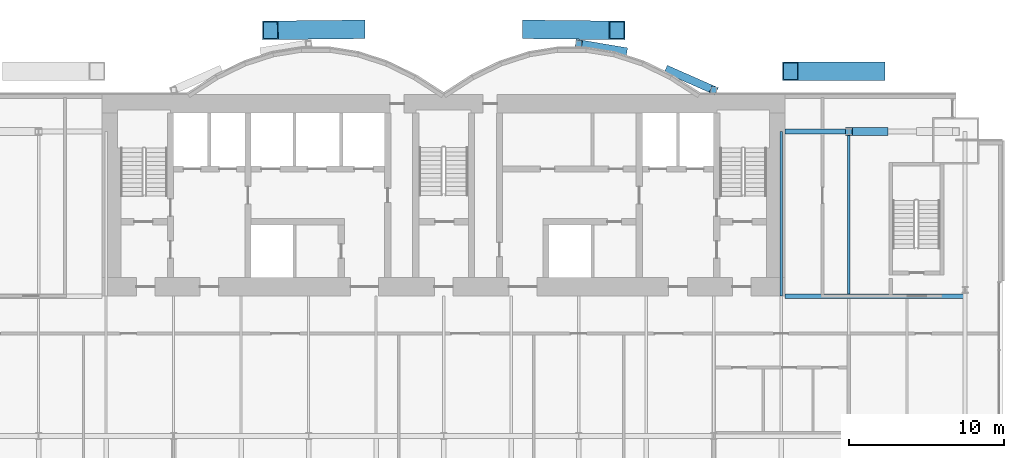
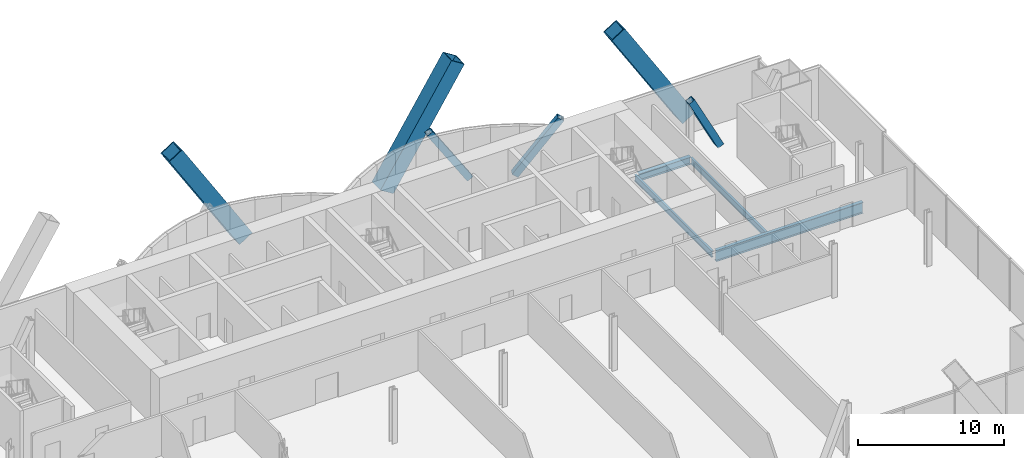
# One storey, part 12 of 23: 6 members, 4 beams.
"""IFC4 building model written with IfcOpenShell, lengths in metres."""

import ifcopenshell
import ifcopenshell.guid

model = None  # the IFC model being written
_history = None  # IfcOwnerHistory: only IFC2X3 demands one
_inside = {}  # id of a spatial element -> (the spatial element, [elements in it])
_under = {}  # id of a project, library or spatial element -> (it, [spatial elements below it])
_declared = {}  # id of a project -> (the project, [libraries it declares])
_typed = {}  # id of a type object -> (the type object, [elements of that type])
_made_of = {}  # id of a material, layer set ... -> (it, [elements and type objects made of it])


def new_model(schema):
    """Start an empty IFC model of exactly this schema.

    Asked for "IFC4X3", IfcOpenShell would pick the latest addendum, in which some entities
    have other attributes; the version numbers below select the first issue.
    IFC2X3 requires an IfcOwnerHistory on every rooted entity: one is made here for all.
    """
    global model, _history
    if schema == "IFC4X3":
        model = ifcopenshell.file(schema_version=(4, 3, 0, 0))
    else:
        model = ifcopenshell.file(schema=schema)
    _inside.clear()
    _under.clear()
    _declared.clear()
    _typed.clear()
    _made_of.clear()
    _history = None
    if model.schema == "IFC2X3":
        org = make("IfcOrganization", Name="unknown")
        user = make(
            "IfcPersonAndOrganization",
            ThePerson=make("IfcPerson", FamilyName="unknown"),
            TheOrganization=org,
        )
        app = make(
            "IfcApplication",
            ApplicationDeveloper=org,
            Version="unknown",
            ApplicationFullName="unknown",
            ApplicationIdentifier="unknown",
        )
        _history = make(
            "IfcOwnerHistory",
            OwningUser=user,
            OwningApplication=app,
            ChangeAction="ADDED",
            CreationDate=0,
        )
    return model


def make(cls, **values):
    """One entity of the class cls with the attributes given. An attribute that is None is left unset."""
    return model.create_entity(
        cls, **{name: value for name, value in values.items() if value is not None}
    )


def rooted(cls, **values):
    """An entity with a GlobalId (a new one), such as an element, a storey or a relation."""
    return make(cls, GlobalId=ifcopenshell.guid.new(), OwnerHistory=_history, **values)


def si_unit(unit_type, name, prefix=None):
    """IfcSIUnit, for example si_unit("LENGTHUNIT", "METRE", prefix="MILLI")."""
    return make("IfcSIUnit", UnitType=unit_type, Prefix=prefix, Name=name)


def assignment(units):
    """IfcUnitAssignment: the units of a project."""
    return None if units is None else make("IfcUnitAssignment", Units=units)


def point(xyz):
    """IfcCartesianPoint."""
    return None if xyz is None else make("IfcCartesianPoint", Coordinates=xyz)


def direction(xyz):
    """IfcDirection."""
    return None if xyz is None else make("IfcDirection", DirectionRatios=xyz)


def frame(location, z_axis=None, x_axis=None):
    """IfcAxis2Placement3D, a coordinate frame: its origin and axes. An axis left out is left unset."""
    return make(
        "IfcAxis2Placement3D",
        Location=point(location),
        Axis=direction(z_axis),
        RefDirection=direction(x_axis),
    )


def frame_2d(location, x_axis=None):
    """IfcAxis2Placement2D, a coordinate frame in the plane: its origin and x axis."""
    return make(
        "IfcAxis2Placement2D", Location=point(location), RefDirection=direction(x_axis)
    )


def origin():
    """The frame at (0, 0, 0) with its axes left unset."""
    return frame((0.0, 0.0, 0.0))


def origin_2d():
    """The frame at (0, 0) in the plane with its x axis left unset."""
    return frame_2d((0.0, 0.0))


def place(relative_to, where):
    """IfcLocalPlacement: puts the frame where relative to a parent placement (None: the world)."""
    return make(
        "IfcLocalPlacement", PlacementRelTo=relative_to, RelativePlacement=where
    )


def context(
    kind, dimensions, precision=None, world=None, true_north=None, identifier=None
):
    """IfcGeometricRepresentationContext, for example the 3D "Model" context."""
    return make(
        "IfcGeometricRepresentationContext",
        ContextIdentifier=identifier,
        ContextType=kind,
        CoordinateSpaceDimension=dimensions,
        Precision=precision,
        WorldCoordinateSystem=world,
        TrueNorth=true_north,
    )


def subcontext(parent, identifier, kind, view, scale=None):
    """IfcGeometricRepresentationSubContext, for example "Body" below "Model"."""
    return make(
        "IfcGeometricRepresentationSubContext",
        ContextIdentifier=identifier,
        ContextType=kind,
        ParentContext=parent,
        TargetScale=scale,
        TargetView=view,
    )


def project(units=None, contexts=None):
    """IfcProject with its units and contexts."""
    return rooted(
        "IfcProject",
        Name="project",
        RepresentationContexts=contexts,
        UnitsInContext=assignment(units),
    )


def spatial(cls, under=None, at=None, **own):
    """A site, building, storey or space (cls), placed at a placement, below another one or the project."""
    s = rooted(cls, ObjectPlacement=at, **own)
    if under is not None:
        _under.setdefault(under.id(), (under, []))[1].append(s)
    return s


def profile(cls, at=None, kind="AREA", **sizes):
    """A parametric profile (cls). Its sizes go by their IFC names, for example OverallWidth=200.0."""
    return make(cls, ProfileType=kind, Position=at, **sizes)


def hollow_rectangle(**sizes):
    """IfcRectangleHollowProfileDef."""
    return profile("IfcRectangleHollowProfileDef", **sizes)


def i_section(**sizes):
    """IfcIShapeProfileDef."""
    return profile("IfcIShapeProfileDef", **sizes)


def extrude(swept, where, along, depth):
    """IfcExtrudedAreaSolid: the profile swept, set in the frame where, extruded along a direction by depth."""
    return make(
        "IfcExtrudedAreaSolid",
        SweptArea=swept,
        Position=where,
        ExtrudedDirection=direction(along),
        Depth=depth,
    )


def shape(context_of_items, identifier, shape_type, items):
    """IfcShapeRepresentation: the items that make up one representation, for example the "Body"."""
    return make(
        "IfcShapeRepresentation",
        ContextOfItems=context_of_items,
        RepresentationIdentifier=identifier,
        RepresentationType=shape_type,
        Items=items,
    )


def material(Name=None, Category=None):
    """IfcMaterial."""
    return make("IfcMaterial", Name=Name, Category=Category)


def material_profile(
    of_material, cross_section, Name=None, Category=None, Priority=None
):
    """IfcMaterialProfile: a cross section and its material."""
    return make(
        "IfcMaterialProfile",
        Name=Name,
        Material=of_material,
        Profile=cross_section,
        Priority=Priority,
        Category=Category,
    )


def profile_set(profiles, Name=None, composite=None):
    """IfcMaterialProfileSet."""
    return make(
        "IfcMaterialProfileSet",
        Name=Name,
        MaterialProfiles=profiles,
        CompositeProfile=composite,
    )


def made_of(thing, what):
    """Note that an element or type object is made of a material, layer set ...; save() writes the relation."""
    if what is not None:
        _made_of.setdefault(what.id(), (what, []))[1].append(thing)
    return thing


def type_object(cls, material=None, **own):
    """A type object (cls), such as IfcWallType, which elements share."""
    return made_of(rooted(cls, **own), material)


def element(
    cls,
    number,
    at=None,
    inside=None,
    cuts=None,
    type_object=None,
    material=None,
    context=None,
    identifier="Body",
    shape_type=None,
    held_by="IfcProductDefinitionShape",
    body=None,
    shapes=None,
    **own,
):
    """One element of the class cls, such as IfcWall. Its Tag is "e" and its number.

    at: its placement. inside: the storey or other place that contains it. cuts: it is an
    opening in that element (IfcRelVoidsElement). A single representation is given by context,
    identifier, shape_type and body (its items); several are given by shapes. held_by: the class
    of the entity that holds the representations. save() writes the other relations.
    """
    e = rooted(cls, Tag="e%d" % number, ObjectPlacement=at, **own)
    if body is not None:
        shapes = [shape(context, identifier, shape_type, body)]
    if shapes is not None:
        e.Representation = make(held_by, Representations=shapes)
    if inside is not None:
        _inside.setdefault(inside.id(), (inside, []))[1].append(e)
    if cuts is not None:
        rooted(
            "IfcRelVoidsElement", RelatingBuildingElement=cuts, RelatedOpeningElement=e
        )
    if type_object is not None:
        _typed.setdefault(type_object.id(), (type_object, []))[1].append(e)
    return made_of(e, material)


def aggregate(whole, parts):
    """IfcRelAggregates: a whole, such as a stair, and the parts it consists of."""
    return rooted("IfcRelAggregates", RelatingObject=whole, RelatedObjects=parts)


def save(model, path):
    """Write the relations noted so far, then the file.

    IfcRelAggregates (storeys below a building ...), IfcRelContainedInSpatialStructure (elements
    in a storey), IfcRelDefinesByType, IfcRelAssociatesMaterial and IfcRelDeclares: one each for
    every whole, place, type object, material and project.
    """
    for whole, parts in _under.values():
        aggregate(whole, parts)
    for where, things in _inside.values():
        rooted(
            "IfcRelContainedInSpatialStructure",
            RelatedElements=things,
            RelatingStructure=where,
        )
    for kind, things in _typed.values():
        rooted("IfcRelDefinesByType", RelatedObjects=things, RelatingType=kind)
    for what, things in _made_of.values():
        rooted("IfcRelAssociatesMaterial", RelatedObjects=things, RelatingMaterial=what)
    for by, libraries in _declared.values():
        rooted("IfcRelDeclares", RelatingContext=by, RelatedDefinitions=libraries)
    model.write(path)


model = new_model("IFC4")

# Units and contexts
model_context = context("Model", 3, precision=1e-05, world=origin(), true_north=direction((0.0, 1.0)))
body_context = subcontext(model_context, "Body", "Model", "MODEL_VIEW")
ifc_project = project(units=[si_unit("LENGTHUNIT", "METRE"), si_unit("AREAUNIT", "SQUARE_METRE"), si_unit("VOLUMEUNIT", "CUBIC_METRE"), si_unit("PLANEANGLEUNIT", "RADIAN"), si_unit("MASSUNIT", "GRAM", prefix="KILO")], contexts=[model_context])

# Site, building, storey
site_placement = place(None, origin())
site = spatial("IfcSite", under=ifc_project, at=site_placement, CompositionType="ELEMENT")
building_placement = place(site_placement, origin())
building = spatial("IfcBuilding", under=site, at=building_placement, Name="Bicima Exchange Tower", CompositionType="ELEMENT")
storey_placement = place(building_placement, frame((0.0, 0.0, 44.0)))
storey = spatial("IfcBuildingStorey", under=building, at=storey_placement, Name="L08", CompositionType="ELEMENT", Elevation=44.0)

# Beam
ifc_material_1 = material(Name="Steel ASTM A992 Gr 50", Category="steel")
ifc_material_profile_1 = material_profile(ifc_material_1, i_section(OverallWidth=0.3046875, OverallDepth=0.911865234375, WebThickness=0.015869140625, FlangeThickness=0.02392578125, at=origin_2d()))
ifc_profile_set_1 = profile_set([ifc_material_profile_1], Name="Steel ASTM A992 Gr 50")
beam_type_1 = type_object("IfcBeamType", Name="Core-line girder W36x150", PredefinedType="BEAM", material=ifc_profile_set_1)
beam_1_placement = place(storey_placement, frame((22.0, -13.0, -0.60595703125), z_axis=(1.0, 0.0, 0.0), x_axis=(0.0, 1.0, 0.0)))
element("IfcBeam", 1, at=beam_1_placement, inside=storey, type_object=beam_type_1, Name="Core-line girder", PredefinedType="BEAM", context=body_context, shape_type="SweptSolid", body=[
    extrude(i_section(OverallWidth=0.3046875, OverallDepth=0.911865234375, WebThickness=0.015869140625, FlangeThickness=0.02392578125, at=origin_2d()), origin(), (0.0, 0.0, 1.0), 11.60009765625),
])

# Members
ifc_material_2 = material(Name="Steel ASTM A572 Gr 50", Category="steel")
ifc_material_profile_2 = material_profile(ifc_material_2, hollow_rectangle(XDim=1.199951171875, YDim=1.199951171875, WallThickness=0.070068359375, at=origin_2d()))
ifc_profile_set_2 = profile_set([ifc_material_profile_2], Name="Steel ASTM A572 Gr 50")
member_type_1 = type_object("IfcMemberType", Name="Exo mega brace BOX 1200x1200x70", PredefinedType="BRACE", material=ifc_profile_set_2)
for number, where, z_axis, x_axis, name in (
    (2, (5.583251953125, 4.1865234375, 0.375), (0.530354626985, -0.005843872584, 0.847755754206), (0.011018133066, 0.99993929853, 0.0), "Exo mega brace rear"),
    (3, (-5.583251953125, 4.1865234375, 0.375), (-0.530354626985, -0.005843872584, 0.847755754206), (0.011018133066, -0.99993929853, 0.0), "Exo mega brace rear"),
):
    element("IfcMember", number, at=place(storey_placement, frame(where, z_axis=z_axis, x_axis=x_axis)), inside=storey, type_object=member_type_1, Name=name, PredefinedType="BRACE", context=body_context, shape_type="SweptSolid", body=[
        extrude(hollow_rectangle(XDim=1.199951171875, YDim=1.199951171875, WallThickness=0.070068359375, at=origin_2d()), origin(), (0.0, 0.0, 1.0), 10.52783203125),
    ])
member_1_placement = place(storey_placement, frame((27.916748046875, 1.5, 0.375), z_axis=(-0.530363683247, 0.0, 0.847770230365), x_axis=(0.0, -1.0, 0.0)))
element("IfcMember", 4, at=member_1_placement, inside=storey, type_object=member_type_1, Name="Exo mega brace rear", PredefinedType="BRACE", context=body_context, shape_type="SweptSolid", body=[
    extrude(hollow_rectangle(XDim=1.199951171875, YDim=1.199951171875, WallThickness=0.070068359375, at=origin_2d()), origin(), (0.0, 0.0, 1.0), 10.527587890625),
])

# Beams
ifc_material_profile_3 = material_profile(ifc_material_1, i_section(OverallWidth=0.165771484375, OverallDepth=0.5283203125, WebThickness=0.009765625, FlangeThickness=0.013671875, at=origin_2d()))
ifc_profile_set_3 = profile_set([ifc_material_profile_3], Name="Steel ASTM A992 Gr 50")
beam_type_2 = type_object("IfcBeamType", Name="Floor beam W21x50", PredefinedType="JOIST", material=ifc_profile_set_3)
beam_2_placement = place(storey_placement, frame((21.75, -2.39990234375, -0.414306640625), z_axis=(0.0, -1.0, 0.0), x_axis=(1.0, 0.0, 0.0)))
element("IfcBeam", 5, at=beam_2_placement, inside=storey, type_object=beam_type_2, Name="Floor beam", PredefinedType="JOIST", context=body_context, shape_type="SweptSolid", body=[
    extrude(i_section(OverallWidth=0.165771484375, OverallDepth=0.5283203125, WebThickness=0.009765625, FlangeThickness=0.013671875, at=origin_2d()), origin(), (0.0, 0.0, 1.0), 10.60009765625),
])
beam_3_placement = place(storey_placement, frame((26.10009765625, -2.5625, -0.414306640625), z_axis=(0.0, -1.0, 0.0), x_axis=(1.0, 0.0, 0.0)))
element("IfcBeam", 6, at=beam_3_placement, inside=storey, type_object=beam_type_2, Name="Floor beam", PredefinedType="JOIST", context=body_context, shape_type="SweptSolid", body=[
    extrude(i_section(OverallWidth=0.165771484375, OverallDepth=0.5283203125, WebThickness=0.009765625, FlangeThickness=0.013671875, at=origin_2d()), origin(), (0.0, 0.0, 1.0), 10.28515625),
])

# Members
ifc_material_profile_4 = material_profile(ifc_material_2, hollow_rectangle(XDim=0.508056640625, YDim=0.508056640625, WallThickness=0.017822265625, at=origin_2d()))
ifc_profile_set_4 = profile_set([ifc_material_profile_4], Name="Steel ASTM A572 Gr 50")
member_type_2 = type_object("IfcMemberType", Name="Mega brace HSS20x20x3/4", PredefinedType="BRACE", material=ifc_profile_set_4)
member_2_placement = place(storey_placement, frame((14.5, 1.55615234375, 0.0), z_axis=(0.526881390073, -0.232212836928, 0.817602103202), x_axis=(0.403298774981, 0.915068357063, 0.0)))
element("IfcMember", 7, at=member_2_placement, inside=storey, type_object=member_type_2, Name="Mega brace rexo", PredefinedType="BRACE", context=body_context, shape_type="SweptSolid", body=[
    extrude(hollow_rectangle(XDim=0.508056640625, YDim=0.508056640625, WallThickness=0.017822265625, at=origin_2d()), origin(), (0.0, 0.0, 1.0), 5.50390625),
])
member_3_placement = place(storey_placement, frame((11.60009765625, 2.783203125, 0.0), z_axis=(-0.539503643625, 0.090379009244, 0.837118541906), x_axis=(-0.165220206918, -0.9862567025, 0.0)))
element("IfcMember", 8, at=member_3_placement, inside=storey, type_object=member_type_2, Name="Mega brace rexo", PredefinedType="BRACE", context=body_context, shape_type="SweptSolid", body=[
    extrude(hollow_rectangle(XDim=0.508056640625, YDim=0.508056640625, WallThickness=0.017822265625, at=origin_2d()), origin(), (0.0, 0.0, 1.0), 5.37548828125),
])
member_4_placement = place(storey_placement, frame((28.39990234375, -2.39990234375, 0.0), z_axis=(-0.455080416514, 0.0, 0.89045034365), x_axis=(0.0, -1.0, 0.0)))
element("IfcMember", 9, at=member_4_placement, inside=storey, type_object=member_type_2, Name="Mega brace rear", PredefinedType="BRACE", context=body_context, shape_type="SweptSolid", body=[
    extrude(hollow_rectangle(XDim=0.508056640625, YDim=0.508056640625, WallThickness=0.017822265625, at=origin_2d()), origin(), (0.0, 0.0, 1.0), 5.0537109375),
])

# Beam
ifc_material_profile_5 = material_profile(ifc_material_1, i_section(OverallWidth=0.3251953125, OverallDepth=0.612060546875, WebThickness=0.0126953125, FlangeThickness=0.01904296875, at=origin_2d()))
ifc_profile_set_5 = profile_set([ifc_material_profile_5], Name="Steel ASTM A992 Gr 50")
beam_type_3 = type_object("IfcBeamType", Name="Rear girder W24x104", PredefinedType="BEAM", material=ifc_profile_set_5)
beam_4_placement = place(storey_placement, frame((22.0, -2.39990234375, -0.4560546875), z_axis=(1.0, 0.0, 0.0), x_axis=(0.0, 1.0, 0.0)))
element("IfcBeam", 10, at=beam_4_placement, inside=storey, type_object=beam_type_3, Name="Rear girder", PredefinedType="BEAM", context=body_context, shape_type="SweptSolid", body=[
    extrude(i_section(OverallWidth=0.3251953125, OverallDepth=0.612060546875, WebThickness=0.0126953125, FlangeThickness=0.01904296875, at=origin_2d()), origin(), (0.0, 0.0, 1.0), 4.10009765625),
])

save(model, "model.ifc")
